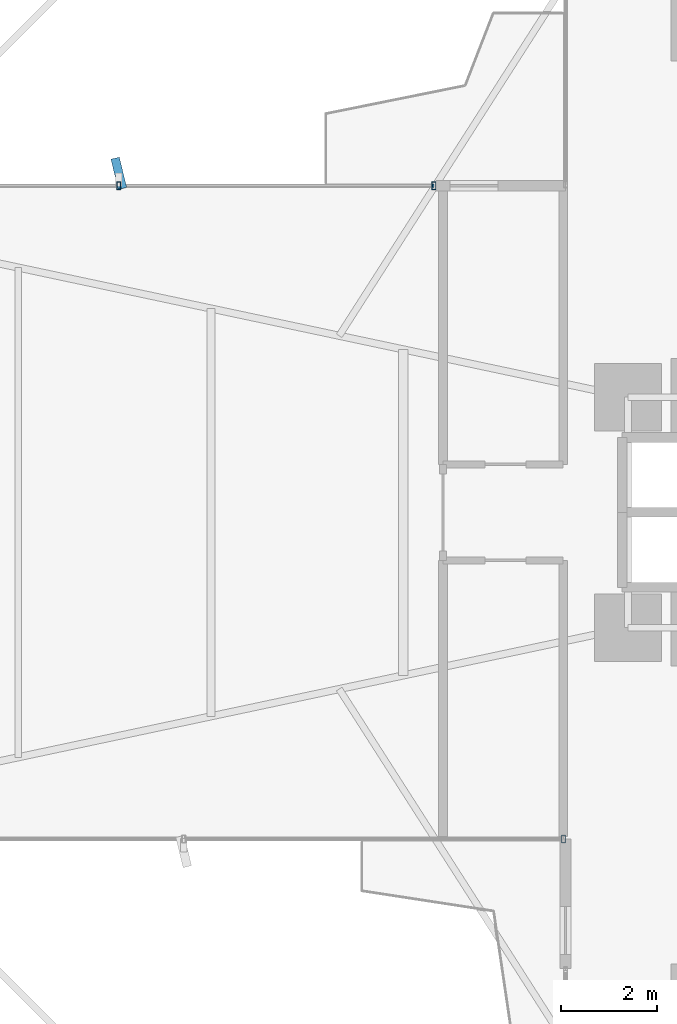
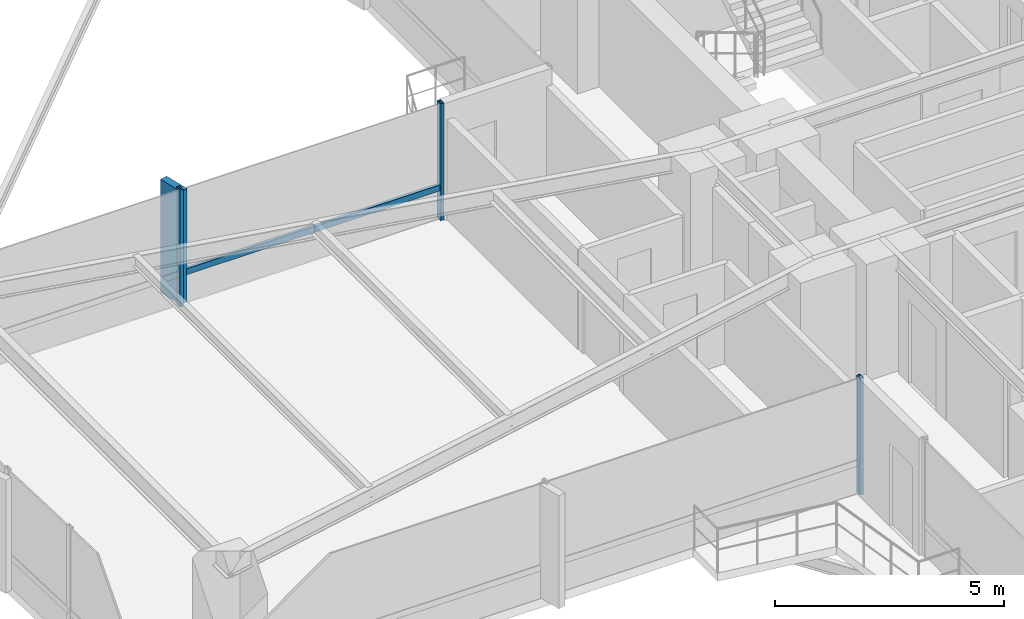
# One storey, part 10 of 25: 5 members, 2 elements without a shape of their own.
"""IFC4 building model written with IfcOpenShell, lengths in metres."""

from ifc_helpers import new_model, si_unit, direction, frame, origin, origin_2d, place, context, subcontext, project, spatial, rectangle, hollow_rectangle, extrude, source, transform, mapped, material, material_profile, profile_set, type_object, element, aggregate, save


model = new_model("IFC4")

# Units and contexts
model_context = context("Model", 3, precision=1e-05, world=origin(), true_north=direction((0.0, 1.0)))
body_context = subcontext(model_context, "Body", "Model", "MODEL_VIEW")
ifc_project = project(units=[si_unit("LENGTHUNIT", "METRE"), si_unit("AREAUNIT", "SQUARE_METRE"), si_unit("VOLUMEUNIT", "CUBIC_METRE"), si_unit("PLANEANGLEUNIT", "RADIAN"), si_unit("MASSUNIT", "GRAM", prefix="KILO")], contexts=[model_context])

# Site, building, storey
site_placement = place(None, origin())
site = spatial("IfcSite", under=ifc_project, at=site_placement, CompositionType="ELEMENT")
building_placement = place(site_placement, origin())
building = spatial("IfcBuilding", under=site, at=building_placement, Name="Sahyath Konkavel Grand Hotel", CompositionType="ELEMENT")
storey_placement = place(building_placement, frame((0.0, 0.0, 39.85009765625)))
storey = spatial("IfcBuildingStorey", under=building, at=storey_placement, Name="L10", CompositionType="ELEMENT", Elevation=39.85009765625)

# Curtain wall, members
ifc_material_1 = material(Name="Anodised Bronze Aluminium & Low-E Glazing", Category="aluminium")
curtain_wall_type = type_object("IfcCurtainWallType", Name="CW-ZONE1", PredefinedType="NOTDEFINED", material=ifc_material_1)
curtain_wall_1_placement = place(storey_placement, origin())
curtain_wall_1 = element("IfcCurtainWall", 1, at=curtain_wall_1_placement, inside=storey, type_object=curtain_wall_type, Name="L10 Unitised Curtain Wall F16", PredefinedType="NOTDEFINED")
ifc_material_2 = material(Name="Anodised Bronze Aluminium", Category="aluminium")
ifc_material_profile_1 = material_profile(ifc_material_2, hollow_rectangle(XDim=0.080078125, YDim=0.159912109375, WallThickness=0.006103515625, at=origin_2d()), Name="RHS 160x80x6")
ifc_profile_set_1 = profile_set([ifc_material_profile_1], Name="Anodised Bronze Aluminium")
member_type_1 = type_object("IfcMemberType", Name="CW-MUL-160", PredefinedType="MULLION", material=ifc_profile_set_1)
shared_shape_1 = source(origin(), body_context, "Body", "SweptSolid", [
    extrude(hollow_rectangle(XDim=0.080078125, YDim=0.159912109375, WallThickness=0.006103515625, at=origin_2d()), origin(), (0.0, 0.0, 1.0), 3.10986328125),
])
member_1_placement = place(storey_placement, frame((-9.5400390625, 6.800048828125, 0.0), z_axis=(0.0, 0.0, 1.0), x_axis=(1.0, 0.0, 0.0)))
member_1 = element("IfcMember", 2, at=member_1_placement, type_object=member_type_1, Name="L10 Curtain Wall Mullion F16-0", PredefinedType="MULLION", context=body_context, shape_type="MappedRepresentation", body=[
    mapped(shared_shape_1, transform((0.0, 0.0, 0.0), scale=1.0)),
])
member_2_placement = place(storey_placement, frame((-16.10009765625, 6.800048828125, 0.0), z_axis=(0.0, 0.0, 1.0), x_axis=(1.0, 0.0, 0.0)))
member_2 = element("IfcMember", 3, at=member_2_placement, type_object=member_type_1, Name="L10 Curtain Wall Mullion F16-1", PredefinedType="MULLION", context=body_context, shape_type="MappedRepresentation", body=[
    mapped(shared_shape_1, transform((0.0, 0.0, 0.0), scale=1.0)),
])

# Curtain wall, member
curtain_wall_2_placement = place(storey_placement, origin())
curtain_wall_2 = element("IfcCurtainWall", 4, at=curtain_wall_2_placement, inside=storey, type_object=curtain_wall_type, Name="L10 Unitised Curtain Wall F23", PredefinedType="NOTDEFINED")
member_3_placement = place(storey_placement, frame((-6.840087890625, -6.800048828125, 0.0), z_axis=(0.0, 0.0, 1.0), x_axis=(1.0, 0.0, 0.0)))
member_3 = element("IfcMember", 5, at=member_3_placement, type_object=member_type_1, Name="L10 Curtain Wall Mullion F23-2", PredefinedType="MULLION", context=body_context, shape_type="MappedRepresentation", body=[
    mapped(shared_shape_1, transform((0.0, 0.0, 0.0), scale=1.0)),
])
aggregate(curtain_wall_2, [member_3])

# Member
ifc_material_3 = material(Name="Warm Buff Sandstone Cladding on Concrete C50/60", Category="masonry")
ifc_material_profile_2 = material_profile(ifc_material_3, rectangle(XDim=0.179931640625, YDim=0.64990234375, at=origin_2d()), Name="FIN 180x650")
ifc_profile_set_2 = profile_set([ifc_material_profile_2], Name="Warm Buff Sandstone Cladding on Concrete C50/60")
member_type_2 = type_object("IfcMemberType", Name="FIN-SANDSTONE-650", PredefinedType="MULLION", material=ifc_profile_set_2)
shared_shape_2 = source(origin(), body_context, "Body", "SweptSolid", [
    extrude(rectangle(XDim=0.179931640625, YDim=0.64990234375, at=origin_2d()), origin(), (0.0, 0.0, 1.0), 3.010009765625),
])
member_4_placement = place(storey_placement, frame((-16.10009765625, 7.06005859375, 0.0498046875), z_axis=(0.0, 0.0, 1.0), x_axis=(0.971590441254, 0.236668575149, 0.0)))
member_4 = element("IfcMember", 6, at=member_4_placement, type_object=member_type_2, Name="L10 Sandstone Vertical Solar Fin FIN F16-1", PredefinedType="MULLION", context=body_context, shape_type="MappedRepresentation", body=[
    mapped(shared_shape_2, transform((0.0, 0.0, 0.0), scale=1.0)),
])

ifc_material_profile_3 = material_profile(ifc_material_2, hollow_rectangle(XDim=0.080078125, YDim=0.159912109375, WallThickness=0.006103515625, at=origin_2d()), Name="RHS 160x80x6")
ifc_profile_set_3 = profile_set([ifc_material_profile_3], Name="Anodised Bronze Aluminium")
member_type_3 = type_object("IfcMemberType", Name="CW-TRN-160", PredefinedType="USERDEFINED", material=ifc_profile_set_3)
shared_shape_3 = source(origin(), body_context, "Body", "SweptSolid", [
    extrude(hollow_rectangle(XDim=0.080078125, YDim=0.159912109375, WallThickness=0.006103515625, at=origin_2d()), origin(), (0.0, 0.0, 1.0), 6.56005859375),
])
member_5_placement = place(storey_placement, frame((-9.5400390625, 6.800048828125, 0.849853515625), z_axis=(-1.0, 0.0, 0.0), x_axis=(0.0, -1.0, 0.0)))
member_5 = element("IfcMember", 7, at=member_5_placement, type_object=member_type_3, Name="L10 Curtain Wall Transom F16-0-spandrel", ObjectType="TRANSOM", PredefinedType="USERDEFINED", context=body_context, shape_type="MappedRepresentation", body=[
    mapped(shared_shape_3, transform((0.0, 0.0, 0.0), scale=1.0)),
])

aggregate(curtain_wall_1, [member_1, member_2, member_4, member_5])

save(model, "model.ifc")
